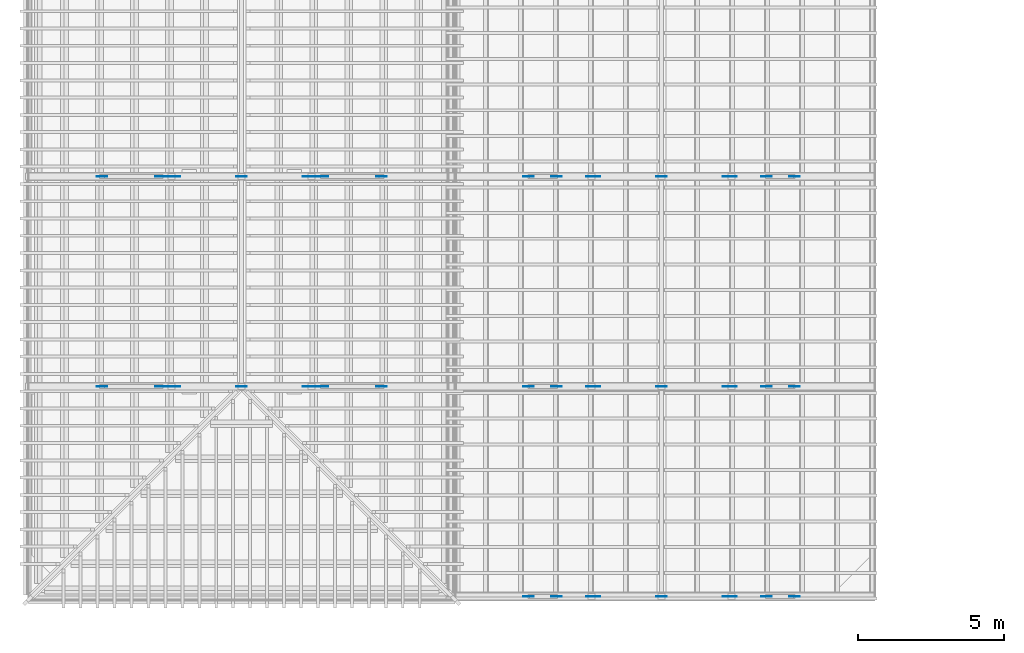
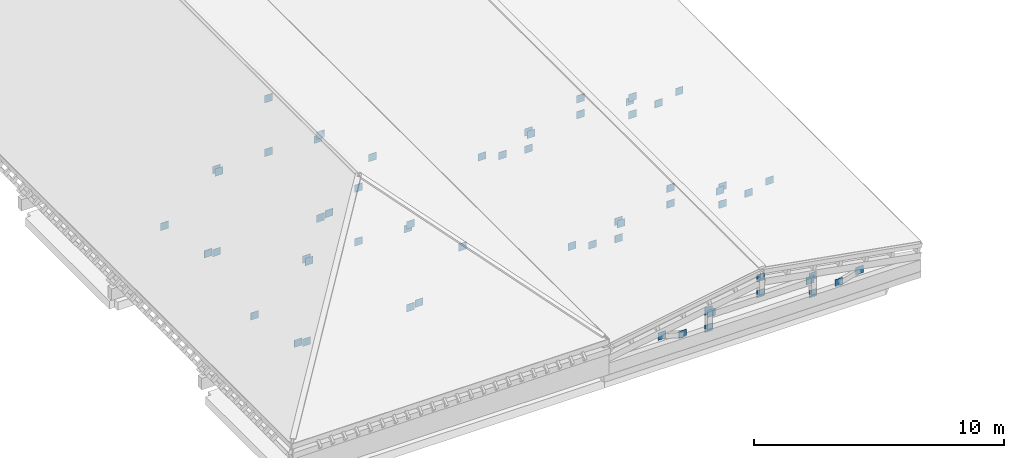
# One storey, part 19 of 28: 60 discrete accessories.
"""IFC4 building model written with IfcOpenShell, lengths in metres."""

import ifcopenshell
import ifcopenshell.guid

model = None  # the IFC model being written
_history = None  # IfcOwnerHistory: only IFC2X3 demands one
_inside = {}  # id of a spatial element -> (the spatial element, [elements in it])
_under = {}  # id of a project, library or spatial element -> (it, [spatial elements below it])
_declared = {}  # id of a project -> (the project, [libraries it declares])
_typed = {}  # id of a type object -> (the type object, [elements of that type])
_made_of = {}  # id of a material, layer set ... -> (it, [elements and type objects made of it])


def new_model(schema):
    """Start an empty IFC model of exactly this schema.

    Asked for "IFC4X3", IfcOpenShell would pick the latest addendum, in which some entities
    have other attributes; the version numbers below select the first issue.
    IFC2X3 requires an IfcOwnerHistory on every rooted entity: one is made here for all.
    """
    global model, _history
    if schema == "IFC4X3":
        model = ifcopenshell.file(schema_version=(4, 3, 0, 0))
    else:
        model = ifcopenshell.file(schema=schema)
    _inside.clear()
    _under.clear()
    _declared.clear()
    _typed.clear()
    _made_of.clear()
    _history = None
    if model.schema == "IFC2X3":
        org = make("IfcOrganization", Name="unknown")
        user = make(
            "IfcPersonAndOrganization",
            ThePerson=make("IfcPerson", FamilyName="unknown"),
            TheOrganization=org,
        )
        app = make(
            "IfcApplication",
            ApplicationDeveloper=org,
            Version="unknown",
            ApplicationFullName="unknown",
            ApplicationIdentifier="unknown",
        )
        _history = make(
            "IfcOwnerHistory",
            OwningUser=user,
            OwningApplication=app,
            ChangeAction="ADDED",
            CreationDate=0,
        )
    return model


def make(cls, **values):
    """One entity of the class cls with the attributes given. An attribute that is None is left unset."""
    return model.create_entity(
        cls, **{name: value for name, value in values.items() if value is not None}
    )


def rooted(cls, **values):
    """An entity with a GlobalId (a new one), such as an element, a storey or a relation."""
    return make(cls, GlobalId=ifcopenshell.guid.new(), OwnerHistory=_history, **values)


def si_unit(unit_type, name, prefix=None):
    """IfcSIUnit, for example si_unit("LENGTHUNIT", "METRE", prefix="MILLI")."""
    return make("IfcSIUnit", UnitType=unit_type, Prefix=prefix, Name=name)


def assignment(units):
    """IfcUnitAssignment: the units of a project."""
    return None if units is None else make("IfcUnitAssignment", Units=units)


def point(xyz):
    """IfcCartesianPoint."""
    return None if xyz is None else make("IfcCartesianPoint", Coordinates=xyz)


def direction(xyz):
    """IfcDirection."""
    return None if xyz is None else make("IfcDirection", DirectionRatios=xyz)


def frame(location, z_axis=None, x_axis=None):
    """IfcAxis2Placement3D, a coordinate frame: its origin and axes. An axis left out is left unset."""
    return make(
        "IfcAxis2Placement3D",
        Location=point(location),
        Axis=direction(z_axis),
        RefDirection=direction(x_axis),
    )


def frame_2d(location, x_axis=None):
    """IfcAxis2Placement2D, a coordinate frame in the plane: its origin and x axis."""
    return make(
        "IfcAxis2Placement2D", Location=point(location), RefDirection=direction(x_axis)
    )


def origin():
    """The frame at (0, 0, 0) with its axes left unset."""
    return frame((0.0, 0.0, 0.0))


def origin_2d():
    """The frame at (0, 0) in the plane with its x axis left unset."""
    return frame_2d((0.0, 0.0))


def place(relative_to, where):
    """IfcLocalPlacement: puts the frame where relative to a parent placement (None: the world)."""
    return make(
        "IfcLocalPlacement", PlacementRelTo=relative_to, RelativePlacement=where
    )


def context(
    kind, dimensions, precision=None, world=None, true_north=None, identifier=None
):
    """IfcGeometricRepresentationContext, for example the 3D "Model" context."""
    return make(
        "IfcGeometricRepresentationContext",
        ContextIdentifier=identifier,
        ContextType=kind,
        CoordinateSpaceDimension=dimensions,
        Precision=precision,
        WorldCoordinateSystem=world,
        TrueNorth=true_north,
    )


def subcontext(parent, identifier, kind, view, scale=None):
    """IfcGeometricRepresentationSubContext, for example "Body" below "Model"."""
    return make(
        "IfcGeometricRepresentationSubContext",
        ContextIdentifier=identifier,
        ContextType=kind,
        ParentContext=parent,
        TargetScale=scale,
        TargetView=view,
    )


def project(units=None, contexts=None):
    """IfcProject with its units and contexts."""
    return rooted(
        "IfcProject",
        Name="project",
        RepresentationContexts=contexts,
        UnitsInContext=assignment(units),
    )


def spatial(cls, under=None, at=None, **own):
    """A site, building, storey or space (cls), placed at a placement, below another one or the project."""
    s = rooted(cls, ObjectPlacement=at, **own)
    if under is not None:
        _under.setdefault(under.id(), (under, []))[1].append(s)
    return s


def profile(cls, at=None, kind="AREA", **sizes):
    """A parametric profile (cls). Its sizes go by their IFC names, for example OverallWidth=200.0."""
    return make(cls, ProfileType=kind, Position=at, **sizes)


def rectangle(**sizes):
    """IfcRectangleProfileDef."""
    return profile("IfcRectangleProfileDef", **sizes)


def extrude(swept, where, along, depth):
    """IfcExtrudedAreaSolid: the profile swept, set in the frame where, extruded along a direction by depth."""
    return make(
        "IfcExtrudedAreaSolid",
        SweptArea=swept,
        Position=where,
        ExtrudedDirection=direction(along),
        Depth=depth,
    )


def shape(context_of_items, identifier, shape_type, items):
    """IfcShapeRepresentation: the items that make up one representation, for example the "Body"."""
    return make(
        "IfcShapeRepresentation",
        ContextOfItems=context_of_items,
        RepresentationIdentifier=identifier,
        RepresentationType=shape_type,
        Items=items,
    )


def material(Name=None, Category=None):
    """IfcMaterial."""
    return make("IfcMaterial", Name=Name, Category=Category)


def made_of(thing, what):
    """Note that an element or type object is made of a material, layer set ...; save() writes the relation."""
    if what is not None:
        _made_of.setdefault(what.id(), (what, []))[1].append(thing)
    return thing


def type_object(cls, material=None, **own):
    """A type object (cls), such as IfcWallType, which elements share."""
    return made_of(rooted(cls, **own), material)


def element(
    cls,
    number,
    at=None,
    inside=None,
    cuts=None,
    type_object=None,
    material=None,
    context=None,
    identifier="Body",
    shape_type=None,
    held_by="IfcProductDefinitionShape",
    body=None,
    shapes=None,
    **own,
):
    """One element of the class cls, such as IfcWall. Its Tag is "e" and its number.

    at: its placement. inside: the storey or other place that contains it. cuts: it is an
    opening in that element (IfcRelVoidsElement). A single representation is given by context,
    identifier, shape_type and body (its items); several are given by shapes. held_by: the class
    of the entity that holds the representations. save() writes the other relations.
    """
    e = rooted(cls, Tag="e%d" % number, ObjectPlacement=at, **own)
    if body is not None:
        shapes = [shape(context, identifier, shape_type, body)]
    if shapes is not None:
        e.Representation = make(held_by, Representations=shapes)
    if inside is not None:
        _inside.setdefault(inside.id(), (inside, []))[1].append(e)
    if cuts is not None:
        rooted(
            "IfcRelVoidsElement", RelatingBuildingElement=cuts, RelatedOpeningElement=e
        )
    if type_object is not None:
        _typed.setdefault(type_object.id(), (type_object, []))[1].append(e)
    return made_of(e, material)


def aggregate(whole, parts):
    """IfcRelAggregates: a whole, such as a stair, and the parts it consists of."""
    return rooted("IfcRelAggregates", RelatingObject=whole, RelatedObjects=parts)


def save(model, path):
    """Write the relations noted so far, then the file.

    IfcRelAggregates (storeys below a building ...), IfcRelContainedInSpatialStructure (elements
    in a storey), IfcRelDefinesByType, IfcRelAssociatesMaterial and IfcRelDeclares: one each for
    every whole, place, type object, material and project.
    """
    for whole, parts in _under.values():
        aggregate(whole, parts)
    for where, things in _inside.values():
        rooted(
            "IfcRelContainedInSpatialStructure",
            RelatedElements=things,
            RelatingStructure=where,
        )
    for kind, things in _typed.values():
        rooted("IfcRelDefinesByType", RelatedObjects=things, RelatingType=kind)
    for what, things in _made_of.values():
        rooted("IfcRelAssociatesMaterial", RelatedObjects=things, RelatingMaterial=what)
    for by, libraries in _declared.values():
        rooted("IfcRelDeclares", RelatingContext=by, RelatedDefinitions=libraries)
    model.write(path)


model = new_model("IFC4")

# Units and contexts
model_context = context("Model", 3, precision=1e-05, world=origin(), true_north=direction((0.0, 1.0)))
body_context = subcontext(model_context, "Body", "Model", "MODEL_VIEW")
ifc_project = project(units=[si_unit("LENGTHUNIT", "METRE"), si_unit("AREAUNIT", "SQUARE_METRE"), si_unit("VOLUMEUNIT", "CUBIC_METRE"), si_unit("PLANEANGLEUNIT", "RADIAN"), si_unit("MASSUNIT", "GRAM", prefix="KILO")], contexts=[model_context])

# Site, building, storey
site_placement = place(None, origin())
site = spatial("IfcSite", under=ifc_project, at=site_placement, CompositionType="ELEMENT")
building_placement = place(site_placement, origin())
building = spatial("IfcBuilding", under=site, at=building_placement, Name="Mazhai Court Health Centre", CompositionType="ELEMENT")
storey_placement = place(building_placement, frame((0.0, 0.0, 18.0)))
storey = spatial("IfcBuildingStorey", under=building, at=storey_placement, Name="RF", CompositionType="ELEMENT", Elevation=18.0)

# Discrete accessories
ifc_material = material(Name="Steel IS 2062 E250", Category="steel")
discrete_accessory_type = type_object("IfcDiscreteAccessoryType", Name="TRUSS NODE PLATE 12", PredefinedType="BRACKET", material=ifc_material)
for number, where, z_axis, x_axis, name in (
    (1, (15.800048828125, 13.39990234375, 0.3798828125), (0.0, 0.0, 1.0), (1.0, 0.0, 0.0), "Node plate Post TV2-1-P1 end a"),
    (2, (15.800048828125, 13.39990234375, 4.4306640625), (0.0, 0.0, 1.0), (1.0, 0.0, 0.0), "Node plate Post TV2-1-P1 end b"),
    (3, (11.0, 13.39990234375, 0.3798828125), (0.0, 0.0, 1.0), (1.0, 0.0, 0.0), "Node plate Post TV2-1-P2 end a"),
    (4, (11.0, 13.39990234375, 4.4306640625), (0.0, 0.0, 1.0), (1.0, 0.0, 0.0), "Node plate Post TV2-1-P2 end b"),
    (5, (15.679931640625, 13.39990234375, 4.27099609375), (0.0, 0.0, 1.0), (1.0, 0.0, 0.0), "Node plate Collar TV2-1-SB1 end a"),
    (6, (11.1201171875, 13.39990234375, 4.27099609375), (0.0, 0.0, 1.0), (1.0, 0.0, 0.0), "Node plate Collar TV2-1-SB1 end b"),
    (7, (13.39990234375, 13.39990234375, 4.4306640625), (0.0, 0.0, 1.0), (1.0, 0.0, 0.0), "Node plate Post TV2-1-P3 end a"),
    (8, (13.39990234375, 13.39990234375, 7.05029296875), (0.0, 0.0, 1.0), (1.0, 0.0, 0.0), "Node plate Post TV2-1-P3 end b"),
    (9, (16.18408203125, 13.39990234375, 0.46435546875), (0.0, 0.0, 1.0), (1.0, 0.0, 0.0), "Node plate Strut TV2-1-S1 end a"),
    (10, (18.193359375, 13.39990234375, 2.5), (0.0, 0.0, 1.0), (1.0, 0.0, 0.0), "Node plate Strut TV2-1-S1 end b"),
    (11, (10.615966796875, 13.39990234375, 0.46435546875), (0.0, 0.0, 1.0), (1.0, 0.0, 0.0), "Node plate Strut TV2-1-S2 end a"),
    (12, (8.606689453125, 13.39990234375, 2.5), (0.0, 0.0, 1.0), (1.0, 0.0, 0.0), "Node plate Strut TV2-1-S2 end b"),
    (13, (15.800048828125, 20.60009765625, 0.3798828125), (0.0, 0.0, 1.0), (1.0, 0.0, 0.0), "Node plate Post TV2-2-P1 end a"),
    (14, (15.800048828125, 20.60009765625, 4.4306640625), (0.0, 0.0, 1.0), (1.0, 0.0, 0.0), "Node plate Post TV2-2-P1 end b"),
    (15, (11.0, 20.60009765625, 0.3798828125), (0.0, 0.0, 1.0), (1.0, 0.0, 0.0), "Node plate Post TV2-2-P2 end a"),
    (16, (11.0, 20.60009765625, 4.4306640625), (0.0, 0.0, 1.0), (1.0, 0.0, 0.0), "Node plate Post TV2-2-P2 end b"),
    (17, (15.679931640625, 20.60009765625, 4.27099609375), (0.0, 0.0, 1.0), (1.0, 0.0, 0.0), "Node plate Collar TV2-2-SB1 end a"),
    (18, (11.1201171875, 20.60009765625, 4.27099609375), (0.0, 0.0, 1.0), (1.0, 0.0, 0.0), "Node plate Collar TV2-2-SB1 end b"),
    (19, (13.39990234375, 20.60009765625, 4.4306640625), (0.0, 0.0, 1.0), (1.0, 0.0, 0.0), "Node plate Post TV2-2-P3 end a"),
    (20, (13.39990234375, 20.60009765625, 7.05029296875), (0.0, 0.0, 1.0), (1.0, 0.0, 0.0), "Node plate Post TV2-2-P3 end b"),
    (21, (16.18408203125, 20.60009765625, 0.46435546875), (0.0, 0.0, 1.0), (1.0, 0.0, 0.0), "Node plate Strut TV2-2-S1 end a"),
    (22, (18.193359375, 20.60009765625, 2.5), (0.0, 0.0, 1.0), (1.0, 0.0, 0.0), "Node plate Strut TV2-2-S1 end b"),
    (23, (10.615966796875, 20.60009765625, 0.46435546875), (0.0, 0.0, 1.0), (1.0, 0.0, 0.0), "Node plate Strut TV2-2-S2 end a"),
    (24, (8.606689453125, 20.60009765625, 2.5), (0.0, 0.0, 1.0), (1.0, 0.0, 0.0), "Node plate Strut TV2-2-S2 end b"),
    (25, (30.199951171875, 6.199951171875, 0.3798828125), (0.0, 0.0, 1.0), (1.0, 0.0, 0.0), "Node plate Post TV5-1-P1 end a"),
    (26, (30.199951171875, 6.199951171875, 1.2265625), (0.0, 0.0, 1.0), (1.0, 0.0, 0.0), "Node plate Post TV5-1-P1 end b"),
    (27, (25.39990234375, 6.199951171875, 0.3798828125), (0.0, 0.0, 1.0), (1.0, 0.0, 0.0), "Node plate Post TV5-1-P2 end a"),
    (28, (25.39990234375, 6.199951171875, 1.2265625), (0.0, 0.0, 1.0), (1.0, 0.0, 0.0), "Node plate Post TV5-1-P2 end b"),
    (29, (30.080078125, 6.199951171875, 1.06640625), (0.0, 0.0, 1.0), (1.0, 0.0, 0.0), "Node plate Collar TV5-1-SB1 end a"),
    (30, (25.52001953125, 6.199951171875, 1.06640625), (0.0, 0.0, 1.0), (1.0, 0.0, 0.0), "Node plate Collar TV5-1-SB1 end b"),
    (31, (27.800048828125, 6.199951171875, 1.2265625), (0.0, 0.0, 1.0), (1.0, 0.0, 0.0), "Node plate Post TV5-1-P3 end a"),
    (32, (27.800048828125, 6.199951171875, 1.99951171875), (0.0, 0.0, 1.0), (1.0, 0.0, 0.0), "Node plate Post TV5-1-P3 end b"),
    (33, (31.4013671875, 6.199951171875, 0.49560546875), (0.0, 0.0, 1.0), (1.0, 0.0, 0.0), "Node plate Strut TV5-1-S1 end a"),
    (34, (32.35546875, 6.199951171875, 0.75732421875), (0.0, 0.0, 1.0), (1.0, 0.0, 0.0), "Node plate Strut TV5-1-S1 end b"),
    (35, (24.19873046875, 6.199951171875, 0.49560546875), (0.0, 0.0, 1.0), (1.0, 0.0, 0.0), "Node plate Strut TV5-1-S2 end a"),
    (36, (23.244384765625, 6.199951171875, 0.75732421875), (0.0, 0.0, 1.0), (1.0, 0.0, 0.0), "Node plate Strut TV5-1-S2 end b"),
    (37, (30.199951171875, 13.39990234375, 0.3798828125), (0.0, 0.0, 1.0), (1.0, 0.0, 0.0), "Node plate Post TV5-2-P1 end a"),
    (38, (30.199951171875, 13.39990234375, 1.2265625), (0.0, 0.0, 1.0), (1.0, 0.0, 0.0), "Node plate Post TV5-2-P1 end b"),
    (39, (25.39990234375, 13.39990234375, 0.3798828125), (0.0, 0.0, 1.0), (1.0, 0.0, 0.0), "Node plate Post TV5-2-P2 end a"),
    (40, (25.39990234375, 13.39990234375, 1.2265625), (0.0, 0.0, 1.0), (1.0, 0.0, 0.0), "Node plate Post TV5-2-P2 end b"),
    (41, (30.080078125, 13.39990234375, 1.06640625), (0.0, 0.0, 1.0), (1.0, 0.0, 0.0), "Node plate Collar TV5-2-SB1 end a"),
    (42, (25.52001953125, 13.39990234375, 1.06640625), (0.0, 0.0, 1.0), (1.0, 0.0, 0.0), "Node plate Collar TV5-2-SB1 end b"),
    (43, (27.800048828125, 13.39990234375, 1.2265625), (0.0, 0.0, 1.0), (1.0, 0.0, 0.0), "Node plate Post TV5-2-P3 end a"),
    (44, (27.800048828125, 13.39990234375, 1.99951171875), (0.0, 0.0, 1.0), (1.0, 0.0, 0.0), "Node plate Post TV5-2-P3 end b"),
    (45, (31.4013671875, 13.39990234375, 0.49560546875), (0.0, 0.0, 1.0), (1.0, 0.0, 0.0), "Node plate Strut TV5-2-S1 end a"),
    (46, (32.35546875, 13.39990234375, 0.75732421875), (0.0, 0.0, 1.0), (1.0, 0.0, 0.0), "Node plate Strut TV5-2-S1 end b"),
    (47, (24.19873046875, 13.39990234375, 0.49560546875), (0.0, 0.0, 1.0), (1.0, 0.0, 0.0), "Node plate Strut TV5-2-S2 end a"),
    (48, (23.244384765625, 13.39990234375, 0.75732421875), (0.0, 0.0, 1.0), (1.0, 0.0, 0.0), "Node plate Strut TV5-2-S2 end b"),
    (49, (30.199951171875, 20.60009765625, 0.3798828125), (0.0, 0.0, 1.0), (1.0, 0.0, 0.0), "Node plate Post TV5-3-P1 end a"),
    (50, (30.199951171875, 20.60009765625, 1.2265625), (0.0, 0.0, 1.0), (1.0, 0.0, 0.0), "Node plate Post TV5-3-P1 end b"),
    (51, (25.39990234375, 20.60009765625, 0.3798828125), (0.0, 0.0, 1.0), (1.0, 0.0, 0.0), "Node plate Post TV5-3-P2 end a"),
    (52, (25.39990234375, 20.60009765625, 1.2265625), (0.0, 0.0, 1.0), (1.0, 0.0, 0.0), "Node plate Post TV5-3-P2 end b"),
    (53, (30.080078125, 20.60009765625, 1.06640625), (0.0, 0.0, 1.0), (1.0, 0.0, 0.0), "Node plate Collar TV5-3-SB1 end a"),
    (54, (25.52001953125, 20.60009765625, 1.06640625), (0.0, 0.0, 1.0), (1.0, 0.0, 0.0), "Node plate Collar TV5-3-SB1 end b"),
    (55, (27.800048828125, 20.60009765625, 1.2265625), (0.0, 0.0, 1.0), (1.0, 0.0, 0.0), "Node plate Post TV5-3-P3 end a"),
    (56, (27.800048828125, 20.60009765625, 1.99951171875), (0.0, 0.0, 1.0), (1.0, 0.0, 0.0), "Node plate Post TV5-3-P3 end b"),
    (57, (31.4013671875, 20.60009765625, 0.49560546875), (0.0, 0.0, 1.0), (1.0, 0.0, 0.0), "Node plate Strut TV5-3-S1 end a"),
    (58, (32.35546875, 20.60009765625, 0.75732421875), (0.0, 0.0, 1.0), (1.0, 0.0, 0.0), "Node plate Strut TV5-3-S1 end b"),
    (59, (24.19873046875, 20.60009765625, 0.49560546875), (0.0, 0.0, 1.0), (1.0, 0.0, 0.0), "Node plate Strut TV5-3-S2 end a"),
    (60, (23.244384765625, 20.60009765625, 0.75732421875), (0.0, 0.0, 1.0), (1.0, 0.0, 0.0), "Node plate Strut TV5-3-S2 end b"),
):
    element("IfcDiscreteAccessory", number, at=place(storey_placement, frame(where, z_axis=z_axis, x_axis=x_axis)), inside=storey, type_object=discrete_accessory_type, Name=name, PredefinedType="BRACKET", context=body_context, shape_type="SweptSolid", body=[
        extrude(rectangle(XDim=0.360107421875, YDim=0.011962890625, at=origin_2d()), origin(), (0.0, 0.0, 1.0), 0.360107421875),
    ])

save(model, "model.ifc")
